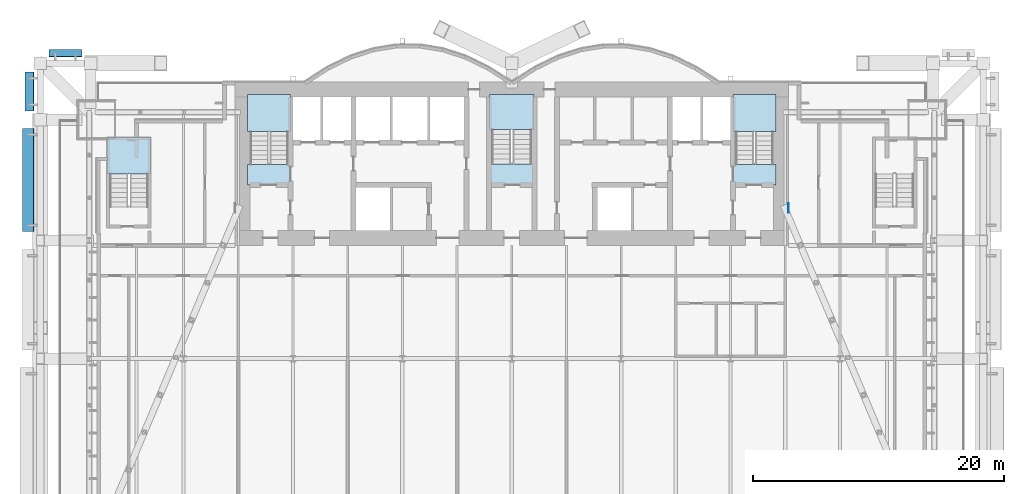
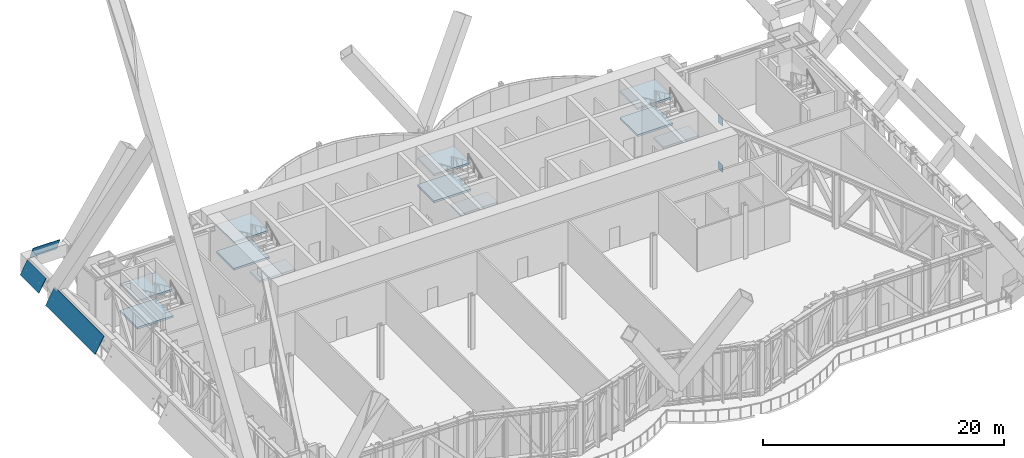
# One storey, part 23 of 32: 11 slabs, 5 plates, 4 elements without a shape of their own.
"""IFC4 building model written with IfcOpenShell, lengths in metres."""

from ifc_helpers import new_model, si_unit, direction, frame, origin, origin_2d, place, context, subcontext, project, spatial, polyline, rectangle, outline, extrude, material, layer, layer_set, type_object, element, aggregate, save


model = new_model("IFC4")

# Units and contexts
model_context = context("Model", 3, precision=1e-05, world=origin(), true_north=direction((0.0, 1.0)))
body_context = subcontext(model_context, "Body", "Model", "MODEL_VIEW")
ifc_project = project(units=[si_unit("LENGTHUNIT", "METRE"), si_unit("AREAUNIT", "SQUARE_METRE"), si_unit("VOLUMEUNIT", "CUBIC_METRE"), si_unit("PLANEANGLEUNIT", "RADIAN"), si_unit("MASSUNIT", "GRAM", prefix="KILO")], contexts=[model_context])

# Site, building, storey
site_placement = place(None, origin())
site = spatial("IfcSite", under=ifc_project, at=site_placement, CompositionType="ELEMENT")
building_placement = place(site_placement, origin())
building = spatial("IfcBuilding", under=site, at=building_placement, Name="Bicima Exchange Tower", CompositionType="ELEMENT")
storey_placement = place(building_placement, frame((0.0, 0.0, 84.5)))
storey = spatial("IfcBuildingStorey", under=building, at=storey_placement, Name="L17", CompositionType="ELEMENT", Elevation=84.5)

# Plates
ifc_material_1 = material(Name="Dark tinted spandrel glass", Category="glass")
ifc_layer_1 = layer(ifc_material_1, 0.0400390625)
ifc_layer_set_1 = layer_set([ifc_layer_1], Name="Dark tinted spandrel glass")
plate_type_1 = type_object("IfcPlateType", Name="Belt fascia glass panel 40", PredefinedType="SHEET", material=ifc_layer_set_1)
plate_1_placement = place(storey_placement, frame((-34.199951171875, 2.576416015625, 4.050048828125), z_axis=(0.0, 0.919715682457, 0.39258510344), x_axis=(-1.0, 0.0, 0.0)))
element("IfcPlate", 1, at=plate_1_placement, inside=storey, type_object=plate_type_1, Name="Belt fascia glass panel", PredefinedType="SHEET", context=body_context, shape_type="SweptSolid", body=[
    extrude(outline(polyline([(0.0, 0.0), (2.60009765625, 0.0), (2.60009765625, 1.3917663048388182), (0.0, 1.3917663048388182), (0.0, 0.0)])), origin(), (0.0, 0.0, -1.0), 0.0400390625),
])
plate_2_placement = place(storey_placement, frame((-38.732421875, 0.800048828125, 4.050048828125), z_axis=(-0.876685030348, 0.0, 0.481064816386), x_axis=(0.0, -1.0, 0.0)))
element("IfcPlate", 2, at=plate_2_placement, inside=storey, type_object=plate_type_1, Name="Belt fascia glass panel", PredefinedType="SHEET", context=body_context, shape_type="SweptSolid", body=[
    extrude(outline(polyline([(0.0, 0.0), (3.10009765625, 0.0), (3.10009765625, 1.4600788796032191), (0.0, 1.4600788796032191), (0.0, 0.0)])), origin(), (0.0, 0.0, -1.0), 0.0400390625),
])
plate_3_placement = place(storey_placement, frame((-38.897216796875, -3.699951171875, 3.75), z_axis=(-0.876650248979, 0.0, 0.481128195978), x_axis=(0.0, -1.0, 0.0)))
element("IfcPlate", 3, at=plate_3_placement, inside=storey, type_object=plate_type_1, Name="Belt fascia glass panel", PredefinedType="SHEET", context=body_context, shape_type="SweptSolid", body=[
    extrude(outline(polyline([(0.0, 0.0), (8.199951171875, 0.0), (8.199951171875, 1.8024042391372048), (0.0, 1.8024042391372048), (0.0, 0.0)])), origin(), (0.0, 0.0, -1.0), 0.0400390625),
])
ifc_material_2 = material(Name="Steel ASTM A572 Gr 50", Category="steel")
ifc_layer_2 = layer(ifc_material_2, 0.0400390625)
ifc_layer_set_2 = layer_set([ifc_layer_2], Name="Steel ASTM A572 Gr 50")
plate_type_2 = type_object("IfcPlateType", Name="Cast-in plate 40", PredefinedType="SHEET", material=ifc_layer_set_2)
for number, where, z_axis, x_axis, name in (
    (4, (22.02001953125, -10.0, 4.5810546875), (0.0, 0.0, 1.0), (1.0, 0.0, 0.0), "Cast-in plate at core wall"),
    (5, (22.02001953125, -10.0, -0.10009765625), (0.0, 0.0, 1.0), (1.0, 0.0, 0.0), "Cast-in plate at core wall"),
):
    element("IfcPlate", number, at=place(storey_placement, frame(where, z_axis=z_axis, x_axis=x_axis)), inside=storey, type_object=plate_type_2, Name=name, PredefinedType="SHEET", context=body_context, shape_type="SweptSolid", body=[
        extrude(rectangle(XDim=0.0400390625, YDim=0.754638671875, at=origin_2d()), origin(), (0.0, 0.0, 1.0), 0.76904296875),
    ])

# Stair, slabs
ifc_material_3 = material(Name="Concrete C50/60", Category="concrete")
stair_type_1 = type_object("IfcStairType", Name="Exit stair", PredefinedType="HALF_TURN_STAIR", material=ifc_material_3)
stair_1_placement = place(storey_placement, origin())
stair_1 = element("IfcStair", 6, at=stair_1_placement, inside=storey, type_object=stair_type_1, Name="L17 West exit stair", PredefinedType="HALF_TURN_STAIR")
ifc_layer_3 = layer(ifc_material_3, 0.199951171875)
ifc_layer_set_3 = layer_set([ifc_layer_3], Name="Concrete C50/60")
slab_type = type_object("IfcSlabType", Name="Stair landing slab", PredefinedType="LANDING", material=ifc_layer_set_3)
slab_1_placement = place(storey_placement, frame((0.0, 0.0, 1.14990234375)))
slab_1 = element("IfcSlab", 7, at=slab_1_placement, type_object=slab_type, Name="ST-W landing 1", PredefinedType="LANDING", context=body_context, shape_type="SweptSolid", body=[
    extrude(outline(polyline([(-17.60009765625, -3.919921875), (-17.60009765625, -1.0), (-21.0, -1.0), (-21.0, -3.919921875), (-17.60009765625, -3.919921875)])), origin(), (0.0, 0.0, 1.0), 0.2001953125),
])
slab_2_placement = place(storey_placement, frame((0.0, 0.0, 2.5)))
slab_2 = element("IfcSlab", 8, at=slab_2_placement, type_object=slab_type, Name="ST-W landing 2", PredefinedType="LANDING", context=body_context, shape_type="SweptSolid", body=[
    extrude(outline(polyline([(-17.60009765625, -8.199951171875), (-17.60009765625, -6.550048828125), (-21.0, -6.550048828125), (-21.0, -8.199951171875), (-17.60009765625, -8.199951171875)])), origin(), (0.0, 0.0, 1.0), 0.199951171875),
])
slab_3_placement = place(storey_placement, frame((0.0, 0.0, 3.85009765625)))
slab_3 = element("IfcSlab", 9, at=slab_3_placement, type_object=slab_type, Name="ST-W landing 3", PredefinedType="LANDING", context=body_context, shape_type="SweptSolid", body=[
    extrude(outline(polyline([(-17.60009765625, -3.919921875), (-17.60009765625, -1.0), (-21.0, -1.0), (-21.0, -3.919921875), (-17.60009765625, -3.919921875)])), origin(), (0.0, 0.0, 1.0), 0.199951171875),
])
aggregate(stair_1, [slab_1, slab_2, slab_3])

stair_type_2 = type_object("IfcStairType", Name="Exit stair 1500", PredefinedType="HALF_TURN_STAIR", material=ifc_material_3)
stair_2_placement = place(storey_placement, origin())
stair_2 = element("IfcStair", 10, at=stair_2_placement, inside=storey, type_object=stair_type_2, Name="L17 Central exit stair", PredefinedType="HALF_TURN_STAIR")
slab_4_placement = place(storey_placement, frame((0.0, 0.0, 1.14990234375)))
slab_4 = element("IfcSlab", 11, at=slab_4_placement, type_object=slab_type, Name="ST-C landing 1", PredefinedType="LANDING", context=body_context, shape_type="SweptSolid", body=[
    extrude(outline(polyline([(1.77490234375, -3.780029296875), (1.77490234375, -1.0), (-1.77490234375, -1.0), (-1.77490234375, -3.780029296875), (1.77490234375, -3.780029296875)])), origin(), (0.0, 0.0, 1.0), 0.2001953125),
])
slab_5_placement = place(storey_placement, frame((0.0, 0.0, 2.5)))
slab_5 = element("IfcSlab", 12, at=slab_5_placement, type_object=slab_type, Name="ST-C landing 2", PredefinedType="LANDING", context=body_context, shape_type="SweptSolid", body=[
    extrude(outline(polyline([(1.77490234375, -8.199951171875), (1.77490234375, -6.5), (-1.77490234375, -6.5), (-1.77490234375, -8.199951171875), (1.77490234375, -8.199951171875)])), origin(), (0.0, 0.0, 1.0), 0.199951171875),
])
slab_6_placement = place(storey_placement, frame((0.0, 0.0, 3.85009765625)))
slab_6 = element("IfcSlab", 13, at=slab_6_placement, type_object=slab_type, Name="ST-C landing 3", PredefinedType="LANDING", context=body_context, shape_type="SweptSolid", body=[
    extrude(outline(polyline([(1.77490234375, -3.780029296875), (1.77490234375, -1.0), (-1.77490234375, -1.0), (-1.77490234375, -3.780029296875), (1.77490234375, -3.780029296875)])), origin(), (0.0, 0.0, 1.0), 0.199951171875),
])
aggregate(stair_2, [slab_4, slab_5, slab_6])

stair_3_placement = place(storey_placement, origin())
stair_3 = element("IfcStair", 14, at=stair_3_placement, inside=storey, type_object=stair_type_1, Name="L17 East exit stair", PredefinedType="HALF_TURN_STAIR")
slab_7_placement = place(storey_placement, frame((0.0, 0.0, 1.14990234375)))
slab_7 = element("IfcSlab", 15, at=slab_7_placement, type_object=slab_type, Name="ST-E landing 1", PredefinedType="LANDING", context=body_context, shape_type="SweptSolid", body=[
    extrude(outline(polyline([(21.0, -3.919921875), (21.0, -1.0), (17.60009765625, -1.0), (17.60009765625, -3.919921875), (21.0, -3.919921875)])), origin(), (0.0, 0.0, 1.0), 0.2001953125),
])
slab_8_placement = place(storey_placement, frame((0.0, 0.0, 2.5)))
slab_8 = element("IfcSlab", 16, at=slab_8_placement, type_object=slab_type, Name="ST-E landing 2", PredefinedType="LANDING", context=body_context, shape_type="SweptSolid", body=[
    extrude(outline(polyline([(21.0, -8.199951171875), (21.0, -6.550048828125), (17.60009765625, -6.550048828125), (17.60009765625, -8.199951171875), (21.0, -8.199951171875)])), origin(), (0.0, 0.0, 1.0), 0.199951171875),
])
slab_9_placement = place(storey_placement, frame((0.0, 0.0, 3.85009765625)))
slab_9 = element("IfcSlab", 17, at=slab_9_placement, type_object=slab_type, Name="ST-E landing 3", PredefinedType="LANDING", context=body_context, shape_type="SweptSolid", body=[
    extrude(outline(polyline([(21.0, -3.919921875), (21.0, -1.0), (17.60009765625, -1.0), (17.60009765625, -3.919921875), (21.0, -3.919921875)])), origin(), (0.0, 0.0, 1.0), 0.199951171875),
])
aggregate(stair_3, [slab_7, slab_8, slab_9])

stair_4_placement = place(storey_placement, origin())
stair_4 = element("IfcStair", 18, at=stair_4_placement, inside=storey, type_object=stair_type_1, Name="L17 West end exit stair", PredefinedType="HALF_TURN_STAIR")
slab_10_placement = place(storey_placement, frame((0.0, 0.0, 1.14990234375)))
slab_10 = element("IfcSlab", 19, at=slab_10_placement, type_object=slab_type, Name="ST-WW landing 1", PredefinedType="LANDING", context=body_context, shape_type="SweptSolid", body=[
    extrude(outline(polyline([(-28.72509765625, -7.294921875), (-28.72509765625, -4.425048828125), (-32.175048828125, -4.425048828125), (-32.175048828125, -7.294921875), (-28.72509765625, -7.294921875)])), origin(), (0.0, 0.0, 1.0), 0.2001953125),
])
slab_11_placement = place(storey_placement, frame((0.0, 0.0, 3.85009765625)))
slab_11 = element("IfcSlab", 20, at=slab_11_placement, type_object=slab_type, Name="ST-WW landing 3", PredefinedType="LANDING", context=body_context, shape_type="SweptSolid", body=[
    extrude(outline(polyline([(-28.72509765625, -7.294921875), (-28.72509765625, -4.425048828125), (-32.175048828125, -4.425048828125), (-32.175048828125, -7.294921875), (-28.72509765625, -7.294921875)])), origin(), (0.0, 0.0, 1.0), 0.199951171875),
])
aggregate(stair_4, [slab_10, slab_11])

save(model, "model.ifc")
